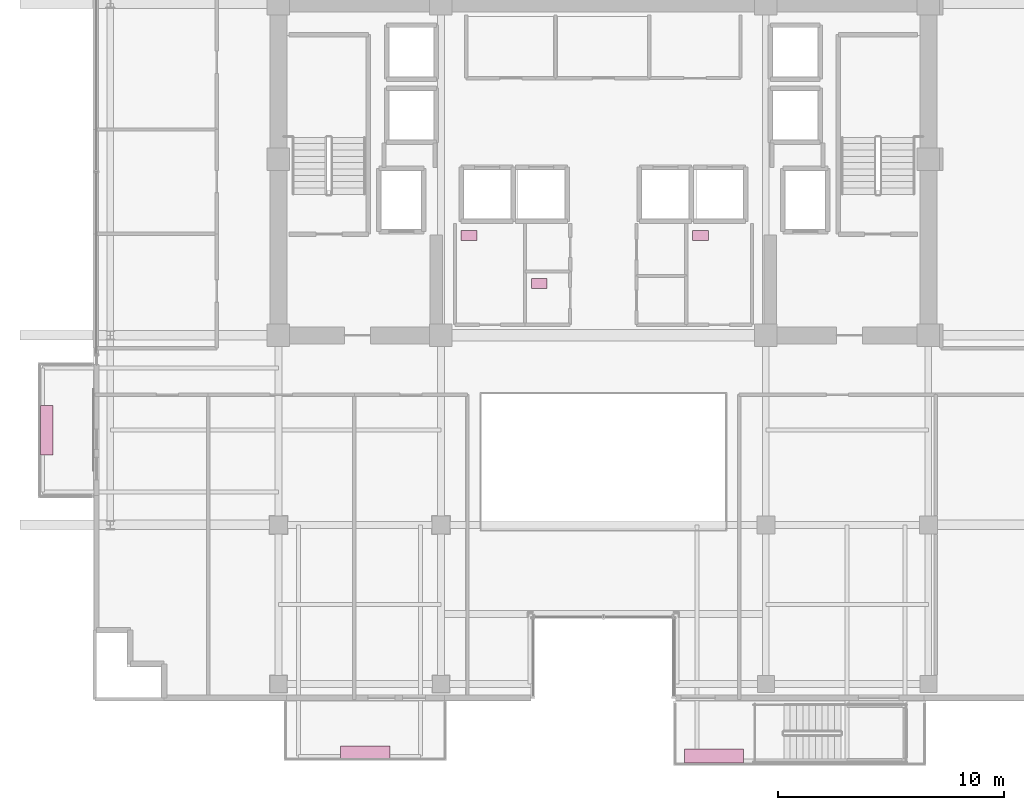
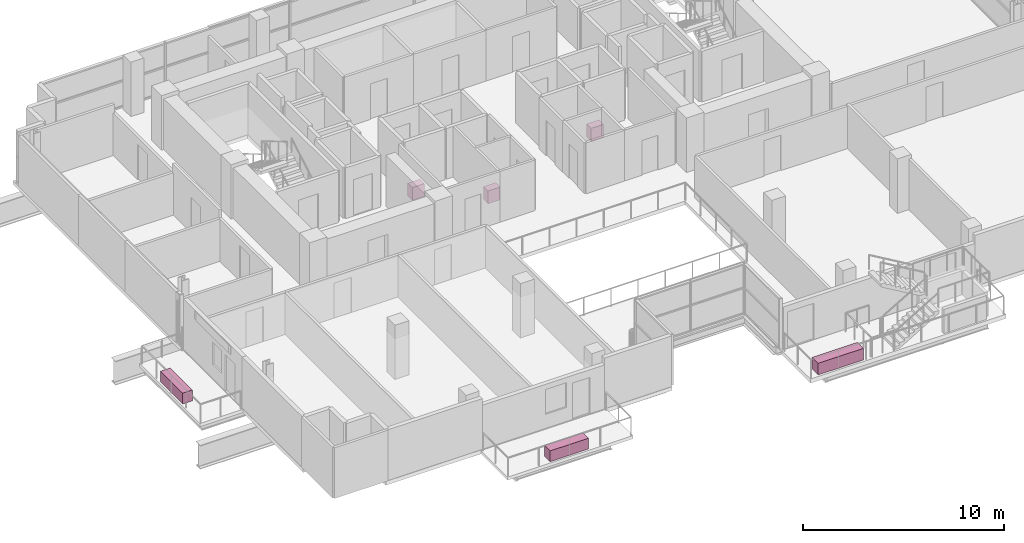
# One storey, part 23 of 23: 6 furnishings.
"""IFC4 building model written with IfcOpenShell, lengths in metres."""

from ifc_helpers import new_model, si_unit, direction, frame, origin, origin_2d, place, context, subcontext, project, spatial, rectangle, extrude, source, transform, mapped, material, type_object, element, save


model = new_model("IFC4")

# Units and contexts
model_context = context("Model", 3, precision=1e-05, world=origin(), true_north=direction((0.0, 1.0)))
body_context = subcontext(model_context, "Body", "Model", "MODEL_VIEW")
ifc_project = project(units=[si_unit("LENGTHUNIT", "METRE"), si_unit("AREAUNIT", "SQUARE_METRE"), si_unit("VOLUMEUNIT", "CUBIC_METRE"), si_unit("PLANEANGLEUNIT", "RADIAN"), si_unit("MASSUNIT", "GRAM", prefix="KILO")], contexts=[model_context])

# Site, building, storey
site_placement = place(None, origin())
site = spatial("IfcSite", under=ifc_project, at=site_placement, CompositionType="ELEMENT")
building_placement = place(site_placement, origin())
building = spatial("IfcBuilding", under=site, at=building_placement, Name="Zarnakvel Exchange Tower", CompositionType="ELEMENT")
storey_placement = place(building_placement, frame((0.0, 0.0, 172.60009765625)))
storey = spatial("IfcBuildingStorey", under=building, at=storey_placement, Name="L48", CompositionType="ELEMENT", Elevation=172.60009765625)

# Furnishings
ifc_material_1 = material(Name="Architectural Bronze Anodised Aluminium", Category="aluminium")
furnishing_element_type_1 = type_object("IfcFurnishingElementType", Name="PLNT-02", material=ifc_material_1)
shared_shape_1 = source(origin(), body_context, "Body", "SweptSolid", [
    extrude(rectangle(XDim=2.60009765625, YDim=0.60009765625, at=origin_2d()), origin(), (0.0, 0.0, 1.0), 0.699951171875),
])
furnishing_placement = place(storey_placement, frame((4.89990234375, -19.840087890625, 0.0), z_axis=(0.0, 0.0, 1.0), x_axis=(1.0, 0.0, 0.0)))
element("IfcFurnishingElement", 1, at=furnishing_placement, inside=storey, type_object=furnishing_element_type_1, Name="L48 Spiral Sky-Terrace Tropical Planter", ObjectType="PLANTER", context=body_context, shape_type="MappedRepresentation", body=[
    mapped(shared_shape_1, transform((0.0, 0.0, 0.0), x_axis=(1.0, 0.0, 0.0), y_axis=(0.0, 1.0, 0.0), z_axis=(0.0, 0.0, 1.0), scale=1.0)),
])
furnishing_element_type_2 = type_object("IfcFurnishingElementType", Name="PLNT-01", material=ifc_material_1)
shared_shape_2 = source(origin(), body_context, "Body", "SweptSolid", [
    extrude(rectangle(XDim=2.199951171875, YDim=0.550048828125, at=origin_2d()), origin(), (0.0, 0.0, 1.0), 0.64990234375),
])
for number, where, z_axis, x_axis, name in (
    (2, (-10.550048828125, -19.669921875, -0.03515625), (0.0, 0.0, 1.0), (1.0, 0.0, 0.0), "L48 Balcony Greenery Planter BAL-L48-SW"),
    (3, (-24.669921875, -5.39990234375, -0.03515625), (0.0, 0.0, 1.0), (0.0, 1.0, 0.0), "L48 Balcony Greenery Planter BAL-L48-W"),
):
    element("IfcFurnishingElement", number, at=place(storey_placement, frame(where, z_axis=z_axis, x_axis=x_axis)), inside=storey, type_object=furnishing_element_type_2, Name=name, ObjectType="PLANTER", context=body_context, shape_type="MappedRepresentation", body=[
        mapped(shared_shape_2, transform((0.0, 0.0, 0.0), x_axis=(1.0, 0.0, 0.0), y_axis=(0.0, 1.0, 0.0), z_axis=(0.0, 0.0, 1.0), scale=1.0)),
    ])
ifc_material_2 = material(Name="Vitreous China Sanitaryware", Category="ceramic")
furnishing_element_type_3 = type_object("IfcFurnishingElementType", Name="SAN-WC", material=ifc_material_2)
shared_shape_3 = source(origin(), body_context, "Body", "SweptSolid", [
    extrude(rectangle(XDim=0.699951171875, YDim=0.449951171875, at=origin_2d()), origin(), (0.0, 0.0, 1.0), 0.780029296875),
])
for number, where, z_axis, x_axis, name in (
    (4, (-5.949951171875, 3.22998046875, 0.0), (0.0, 0.0, 1.0), (1.0, 0.0, 0.0), "L48 Sanitary Fixture (Male Toilet)"),
    (5, (-2.840087890625, 1.10009765625, 0.0), (0.0, 0.0, 1.0), (1.0, 0.0, 0.0), "L48 Sanitary Fixture (Accessible Toilet)"),
    (6, (4.31005859375, 3.22998046875, 0.0), (0.0, 0.0, 1.0), (1.0, 0.0, 0.0), "L48 Sanitary Fixture (Female Toilet)"),
):
    element("IfcFurnishingElement", number, at=place(storey_placement, frame(where, z_axis=z_axis, x_axis=x_axis)), inside=storey, type_object=furnishing_element_type_3, Name=name, ObjectType="SANITARY_FIXTURE", context=body_context, shape_type="MappedRepresentation", body=[
        mapped(shared_shape_3, transform((0.0, 0.0, 0.0), x_axis=(1.0, 0.0, 0.0), y_axis=(0.0, 1.0, 0.0), z_axis=(0.0, 0.0, 1.0), scale=1.0)),
    ])

save(model, "model.ifc")
